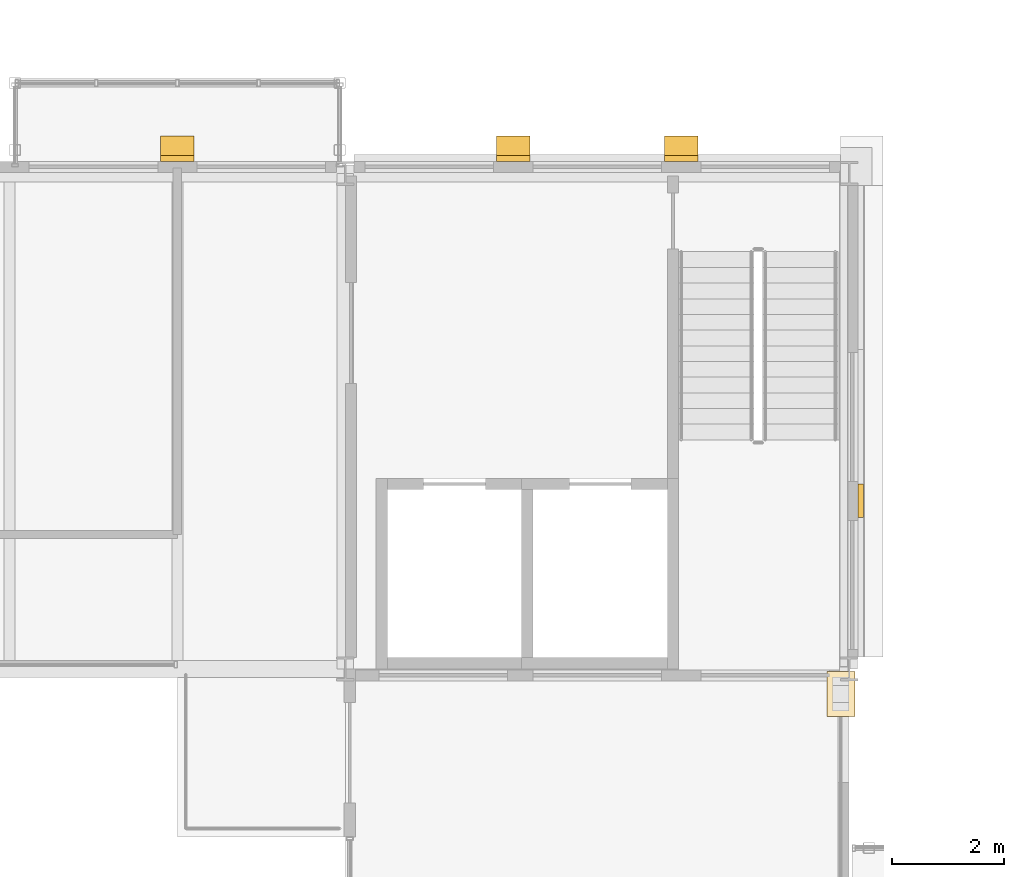
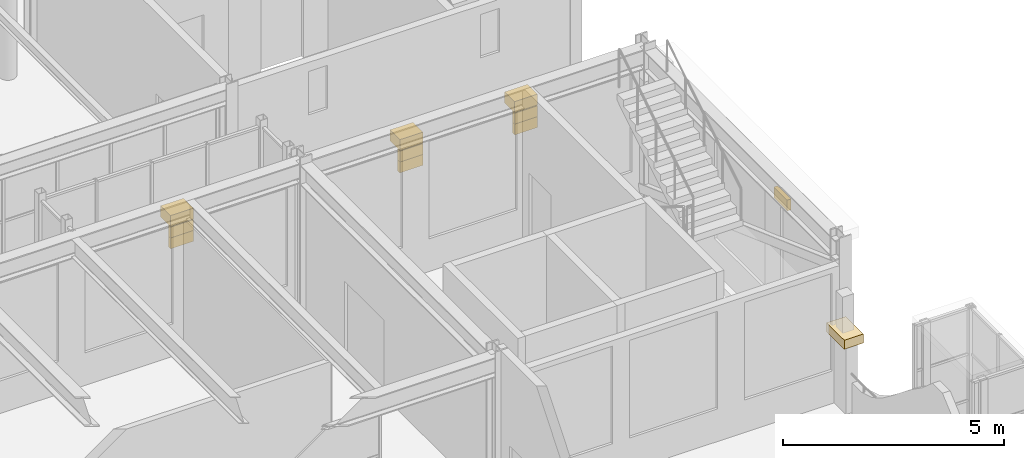
# One storey, part 111 of 111: 11 coverings.
"""IFC4 building model written with IfcOpenShell, lengths in metres."""

import ifcopenshell
import ifcopenshell.guid

model = None  # the IFC model being written
_history = None  # IfcOwnerHistory: only IFC2X3 demands one
_inside = {}  # id of a spatial element -> (the spatial element, [elements in it])
_under = {}  # id of a project, library or spatial element -> (it, [spatial elements below it])
_declared = {}  # id of a project -> (the project, [libraries it declares])
_typed = {}  # id of a type object -> (the type object, [elements of that type])
_made_of = {}  # id of a material, layer set ... -> (it, [elements and type objects made of it])


def new_model(schema):
    """Start an empty IFC model of exactly this schema.

    Asked for "IFC4X3", IfcOpenShell would pick the latest addendum, in which some entities
    have other attributes; the version numbers below select the first issue.
    IFC2X3 requires an IfcOwnerHistory on every rooted entity: one is made here for all.
    """
    global model, _history
    if schema == "IFC4X3":
        model = ifcopenshell.file(schema_version=(4, 3, 0, 0))
    else:
        model = ifcopenshell.file(schema=schema)
    _inside.clear()
    _under.clear()
    _declared.clear()
    _typed.clear()
    _made_of.clear()
    _history = None
    if model.schema == "IFC2X3":
        org = make("IfcOrganization", Name="unknown")
        user = make(
            "IfcPersonAndOrganization",
            ThePerson=make("IfcPerson", FamilyName="unknown"),
            TheOrganization=org,
        )
        app = make(
            "IfcApplication",
            ApplicationDeveloper=org,
            Version="unknown",
            ApplicationFullName="unknown",
            ApplicationIdentifier="unknown",
        )
        _history = make(
            "IfcOwnerHistory",
            OwningUser=user,
            OwningApplication=app,
            ChangeAction="ADDED",
            CreationDate=0,
        )
    return model


def make(cls, **values):
    """One entity of the class cls with the attributes given. An attribute that is None is left unset."""
    return model.create_entity(
        cls, **{name: value for name, value in values.items() if value is not None}
    )


def rooted(cls, **values):
    """An entity with a GlobalId (a new one), such as an element, a storey or a relation."""
    return make(cls, GlobalId=ifcopenshell.guid.new(), OwnerHistory=_history, **values)


def si_unit(unit_type, name, prefix=None):
    """IfcSIUnit, for example si_unit("LENGTHUNIT", "METRE", prefix="MILLI")."""
    return make("IfcSIUnit", UnitType=unit_type, Prefix=prefix, Name=name)


def assignment(units):
    """IfcUnitAssignment: the units of a project."""
    return None if units is None else make("IfcUnitAssignment", Units=units)


def point(xyz):
    """IfcCartesianPoint."""
    return None if xyz is None else make("IfcCartesianPoint", Coordinates=xyz)


def direction(xyz):
    """IfcDirection."""
    return None if xyz is None else make("IfcDirection", DirectionRatios=xyz)


def frame(location, z_axis=None, x_axis=None):
    """IfcAxis2Placement3D, a coordinate frame: its origin and axes. An axis left out is left unset."""
    return make(
        "IfcAxis2Placement3D",
        Location=point(location),
        Axis=direction(z_axis),
        RefDirection=direction(x_axis),
    )


def frame_2d(location, x_axis=None):
    """IfcAxis2Placement2D, a coordinate frame in the plane: its origin and x axis."""
    return make(
        "IfcAxis2Placement2D", Location=point(location), RefDirection=direction(x_axis)
    )


def origin():
    """The frame at (0, 0, 0) with its axes left unset."""
    return frame((0.0, 0.0, 0.0))


def origin_2d():
    """The frame at (0, 0) in the plane with its x axis left unset."""
    return frame_2d((0.0, 0.0))


def place(relative_to, where):
    """IfcLocalPlacement: puts the frame where relative to a parent placement (None: the world)."""
    return make(
        "IfcLocalPlacement", PlacementRelTo=relative_to, RelativePlacement=where
    )


def context(
    kind, dimensions, precision=None, world=None, true_north=None, identifier=None
):
    """IfcGeometricRepresentationContext, for example the 3D "Model" context."""
    return make(
        "IfcGeometricRepresentationContext",
        ContextIdentifier=identifier,
        ContextType=kind,
        CoordinateSpaceDimension=dimensions,
        Precision=precision,
        WorldCoordinateSystem=world,
        TrueNorth=true_north,
    )


def subcontext(parent, identifier, kind, view, scale=None):
    """IfcGeometricRepresentationSubContext, for example "Body" below "Model"."""
    return make(
        "IfcGeometricRepresentationSubContext",
        ContextIdentifier=identifier,
        ContextType=kind,
        ParentContext=parent,
        TargetScale=scale,
        TargetView=view,
    )


def project(units=None, contexts=None):
    """IfcProject with its units and contexts."""
    return rooted(
        "IfcProject",
        Name="project",
        RepresentationContexts=contexts,
        UnitsInContext=assignment(units),
    )


def spatial(cls, under=None, at=None, **own):
    """A site, building, storey or space (cls), placed at a placement, below another one or the project."""
    s = rooted(cls, ObjectPlacement=at, **own)
    if under is not None:
        _under.setdefault(under.id(), (under, []))[1].append(s)
    return s


def profile(cls, at=None, kind="AREA", **sizes):
    """A parametric profile (cls). Its sizes go by their IFC names, for example OverallWidth=200.0."""
    return make(cls, ProfileType=kind, Position=at, **sizes)


def rectangle(**sizes):
    """IfcRectangleProfileDef."""
    return profile("IfcRectangleProfileDef", **sizes)


def extrude(swept, where, along, depth):
    """IfcExtrudedAreaSolid: the profile swept, set in the frame where, extruded along a direction by depth."""
    return make(
        "IfcExtrudedAreaSolid",
        SweptArea=swept,
        Position=where,
        ExtrudedDirection=direction(along),
        Depth=depth,
    )


def shape(context_of_items, identifier, shape_type, items):
    """IfcShapeRepresentation: the items that make up one representation, for example the "Body"."""
    return make(
        "IfcShapeRepresentation",
        ContextOfItems=context_of_items,
        RepresentationIdentifier=identifier,
        RepresentationType=shape_type,
        Items=items,
    )


def material(Name=None, Category=None):
    """IfcMaterial."""
    return make("IfcMaterial", Name=Name, Category=Category)


def layer(
    of_material, thickness, ventilated=None, Name=None, Category=None, Priority=None
):
    """IfcMaterialLayer: one layer of a wall or slab, of a material (None: an air gap)."""
    return make(
        "IfcMaterialLayer",
        Material=of_material,
        LayerThickness=thickness,
        IsVentilated=ventilated,
        Name=Name,
        Category=Category,
        Priority=Priority,
    )


def layer_set(layers, Name=None):
    """IfcMaterialLayerSet."""
    return make("IfcMaterialLayerSet", MaterialLayers=layers, LayerSetName=Name)


def made_of(thing, what):
    """Note that an element or type object is made of a material, layer set ...; save() writes the relation."""
    if what is not None:
        _made_of.setdefault(what.id(), (what, []))[1].append(thing)
    return thing


def type_object(cls, material=None, **own):
    """A type object (cls), such as IfcWallType, which elements share."""
    return made_of(rooted(cls, **own), material)


def element(
    cls,
    number,
    at=None,
    inside=None,
    cuts=None,
    type_object=None,
    material=None,
    context=None,
    identifier="Body",
    shape_type=None,
    held_by="IfcProductDefinitionShape",
    body=None,
    shapes=None,
    **own,
):
    """One element of the class cls, such as IfcWall. Its Tag is "e" and its number.

    at: its placement. inside: the storey or other place that contains it. cuts: it is an
    opening in that element (IfcRelVoidsElement). A single representation is given by context,
    identifier, shape_type and body (its items); several are given by shapes. held_by: the class
    of the entity that holds the representations. save() writes the other relations.
    """
    e = rooted(cls, Tag="e%d" % number, ObjectPlacement=at, **own)
    if body is not None:
        shapes = [shape(context, identifier, shape_type, body)]
    if shapes is not None:
        e.Representation = make(held_by, Representations=shapes)
    if inside is not None:
        _inside.setdefault(inside.id(), (inside, []))[1].append(e)
    if cuts is not None:
        rooted(
            "IfcRelVoidsElement", RelatingBuildingElement=cuts, RelatedOpeningElement=e
        )
    if type_object is not None:
        _typed.setdefault(type_object.id(), (type_object, []))[1].append(e)
    return made_of(e, material)


def aggregate(whole, parts):
    """IfcRelAggregates: a whole, such as a stair, and the parts it consists of."""
    return rooted("IfcRelAggregates", RelatingObject=whole, RelatedObjects=parts)


def save(model, path):
    """Write the relations noted so far, then the file.

    IfcRelAggregates (storeys below a building ...), IfcRelContainedInSpatialStructure (elements
    in a storey), IfcRelDefinesByType, IfcRelAssociatesMaterial and IfcRelDeclares: one each for
    every whole, place, type object, material and project.
    """
    for whole, parts in _under.values():
        aggregate(whole, parts)
    for where, things in _inside.values():
        rooted(
            "IfcRelContainedInSpatialStructure",
            RelatedElements=things,
            RelatingStructure=where,
        )
    for kind, things in _typed.values():
        rooted("IfcRelDefinesByType", RelatedObjects=things, RelatingType=kind)
    for what, things in _made_of.values():
        rooted("IfcRelAssociatesMaterial", RelatedObjects=things, RelatingMaterial=what)
    for by, libraries in _declared.values():
        rooted("IfcRelDeclares", RelatingContext=by, RelatedDefinitions=libraries)
    model.write(path)


model = new_model("IFC4")

# Units and contexts
model_context = context("Model", 3, precision=1e-05, world=origin(), true_north=direction((0.0, 1.0)))
body_context = subcontext(model_context, "Body", "Model", "MODEL_VIEW")
ifc_project = project(units=[si_unit("LENGTHUNIT", "METRE"), si_unit("AREAUNIT", "SQUARE_METRE"), si_unit("VOLUMEUNIT", "CUBIC_METRE"), si_unit("PLANEANGLEUNIT", "RADIAN"), si_unit("MASSUNIT", "GRAM", prefix="KILO")], contexts=[model_context])

# Site, building, storey
site_placement = place(None, origin())
site = spatial("IfcSite", under=ifc_project, at=site_placement, CompositionType="ELEMENT")
building_placement = place(site_placement, origin())
building = spatial("IfcBuilding", under=site, at=building_placement, Name="Kallimachos Central Library", CompositionType="ELEMENT")
storey_placement = place(building_placement, frame((0.0, 0.0, 14.39990234375)))
storey = spatial("IfcBuildingStorey", under=building, at=storey_placement, Name="L03", CompositionType="ELEMENT", Elevation=14.39990234375)

# Coverings
ifc_material_1 = material(Name="Glazed ceramic frieze, green")
ifc_layer_1 = layer(ifc_material_1, 0.10009765625)
ifc_layer_set_1 = layer_set([ifc_layer_1], Name="Glazed ceramic frieze, green")
covering_type_1 = type_object("IfcCoveringType", Name="Glazed ceramic frieze, green", PredefinedType="CLADDING", material=ifc_layer_set_1)
for number, where, z_axis, x_axis, name in (
    (1, (98.5, 84.115966796875, 3.1298828125), (0.0, 0.0, 1.0), (1.0, 0.0, 0.0), "Glazed ceramic frieze, green -L03-018"),
    (2, (104.5, 84.115966796875, 3.1298828125), (0.0, 0.0, 1.0), (1.0, 0.0, 0.0), "Glazed ceramic frieze, green -L03-019"),
    (3, (107.5, 84.115966796875, 3.1298828125), (0.0, 0.0, 1.0), (1.0, 0.0, 0.0), "Glazed ceramic frieze, green -L03-019"),
):
    element("IfcCovering", number, at=place(storey_placement, frame(where, z_axis=z_axis, x_axis=x_axis)), inside=storey, type_object=covering_type_1, Name=name, PredefinedType="CLADDING", context=body_context, shape_type="SweptSolid", body=[
        extrude(rectangle(XDim=0.60009765625, YDim=0.10009765625, at=origin_2d()), origin(), (0.0, 0.0, 1.0), 0.300048828125),
    ])
ifc_material_2 = material(Name="Glazed ceramic frieze, ochre")
ifc_layer_2 = layer(ifc_material_2, 0.10009765625)
ifc_layer_set_2 = layer_set([ifc_layer_2], Name="Glazed ceramic frieze, ochre")
covering_type_2 = type_object("IfcCoveringType", Name="Glazed ceramic frieze, ochre", PredefinedType="CLADDING", material=ifc_layer_set_2)
for number, where, z_axis, x_axis, name in (
    (4, (98.5, 84.115966796875, 2.830078125), (0.0, 0.0, 1.0), (1.0, 0.0, 0.0), "Glazed ceramic frieze, ochre -L03-018"),
    (5, (104.5, 84.115966796875, 2.830078125), (0.0, 0.0, 1.0), (1.0, 0.0, 0.0), "Glazed ceramic frieze, ochre -L03-019"),
    (6, (107.5, 84.115966796875, 2.830078125), (0.0, 0.0, 1.0), (1.0, 0.0, 0.0), "Glazed ceramic frieze, ochre -L03-019"),
):
    element("IfcCovering", number, at=place(storey_placement, frame(where, z_axis=z_axis, x_axis=x_axis)), inside=storey, type_object=covering_type_2, Name=name, PredefinedType="CLADDING", context=body_context, shape_type="SweptSolid", body=[
        extrude(rectangle(XDim=0.60009765625, YDim=0.10009765625, at=origin_2d()), origin(), (0.0, 0.0, 1.0), 0.300048828125),
    ])
covering_1_placement = place(storey_placement, frame((110.70361328125, 78.0, 3.3798828125), z_axis=(0.0, 0.0, 1.0), x_axis=(1.0, 0.0, 0.0)))
element("IfcCovering", 7, at=covering_1_placement, inside=storey, type_object=covering_type_2, Name="Glazed ceramic frieze, ochre -L03-023", PredefinedType="CLADDING", context=body_context, shape_type="SweptSolid", body=[
    extrude(rectangle(XDim=0.10009765625, YDim=0.60009765625, at=origin_2d()), origin(), (0.0, 0.0, 1.0), 0.300048828125),
])
ifc_material_3 = material(Name="Pentelic marble cornice", Category="masonry")
ifc_layer_3 = layer(ifc_material_3, 0.449951171875)
ifc_layer_set_3 = layer_set([ifc_layer_3], Name="Stone cornice 450")
covering_type_3 = type_object("IfcCoveringType", Name="Stone cornice 450", PredefinedType="MOLDING", material=ifc_layer_set_3)
for number, where, z_axis, x_axis, name in (
    (8, (98.5, 84.291015625, 3.4501953125), (0.0, 0.0, 1.0), (1.0, 0.0, 0.0), "Stone cornice 450 -L03-018"),
    (9, (104.5, 84.291015625, 3.4501953125), (0.0, 0.0, 1.0), (1.0, 0.0, 0.0), "Stone cornice 450 -L03-019"),
    (10, (107.5, 84.291015625, 3.4501953125), (0.0, 0.0, 1.0), (1.0, 0.0, 0.0), "Stone cornice 450 -L03-019"),
):
    element("IfcCovering", number, at=place(storey_placement, frame(where, z_axis=z_axis, x_axis=x_axis)), inside=storey, type_object=covering_type_3, Name=name, PredefinedType="MOLDING", context=body_context, shape_type="SweptSolid", body=[
        extrude(rectangle(XDim=0.60009765625, YDim=0.449951171875, at=origin_2d()), origin(), (0.0, 0.0, 1.0), 0.300048828125),
    ])
ifc_material_4 = material(Name="Pentelic marble pinnacle cap", Category="masonry")
ifc_layer_4 = layer(ifc_material_4, 0.800048828125)
ifc_layer_set_4 = layer_set([ifc_layer_4], Name="Stone pinnacle cap 800")
covering_type_4 = type_object("IfcCoveringType", Name="Stone pinnacle cap 800", PredefinedType="MOLDING", material=ifc_layer_set_4)
covering_2_placement = place(storey_placement, frame((110.35009765625, 74.550048828125, 1.900146484375), z_axis=(0.0, 0.0, 1.0), x_axis=(1.0, 0.0, 0.0)))
element("IfcCovering", 11, at=covering_2_placement, inside=storey, type_object=covering_type_4, Name="East wing roof edge pinnacle 3 cap", PredefinedType="MOLDING", context=body_context, shape_type="SweptSolid", body=[
    extrude(rectangle(XDim=0.5, YDim=0.800048828125, at=origin_2d()), origin(), (0.0, 0.0, 1.0), 0.25),
])

save(model, "model.ifc")
